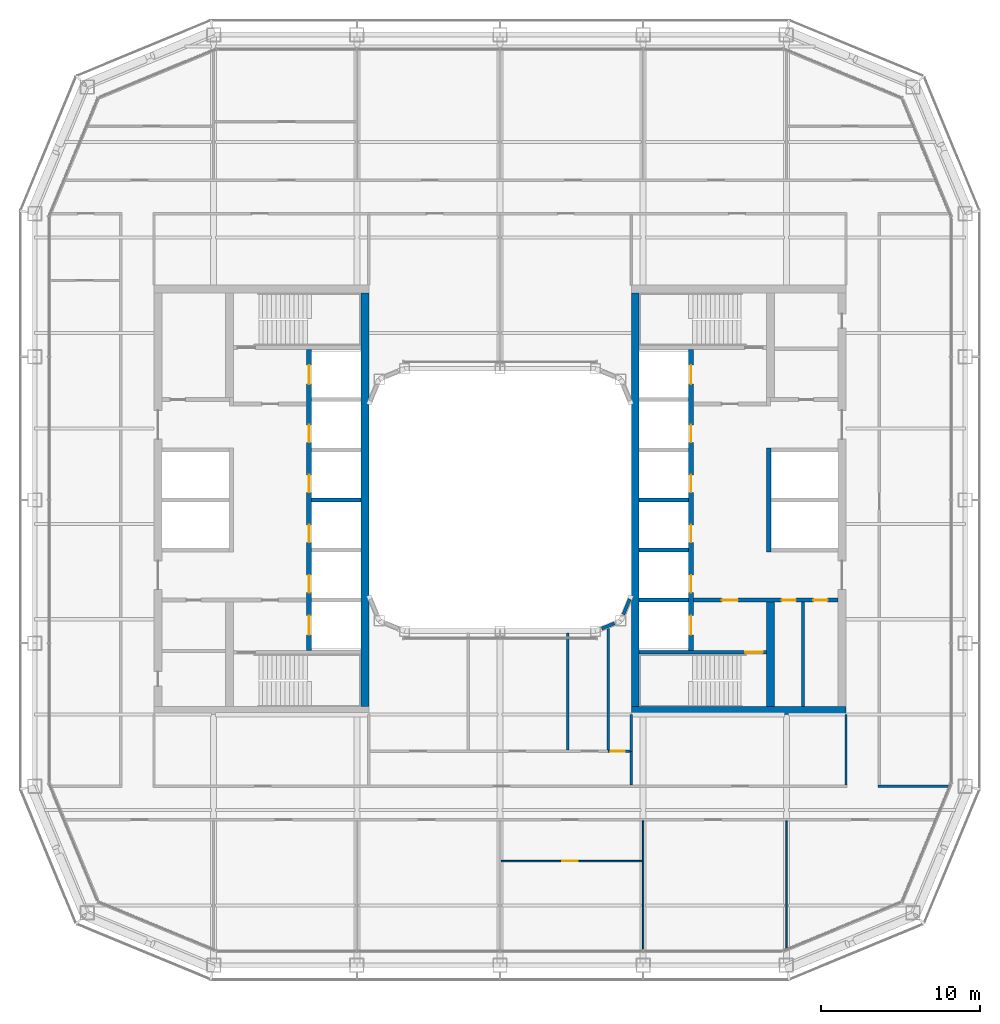
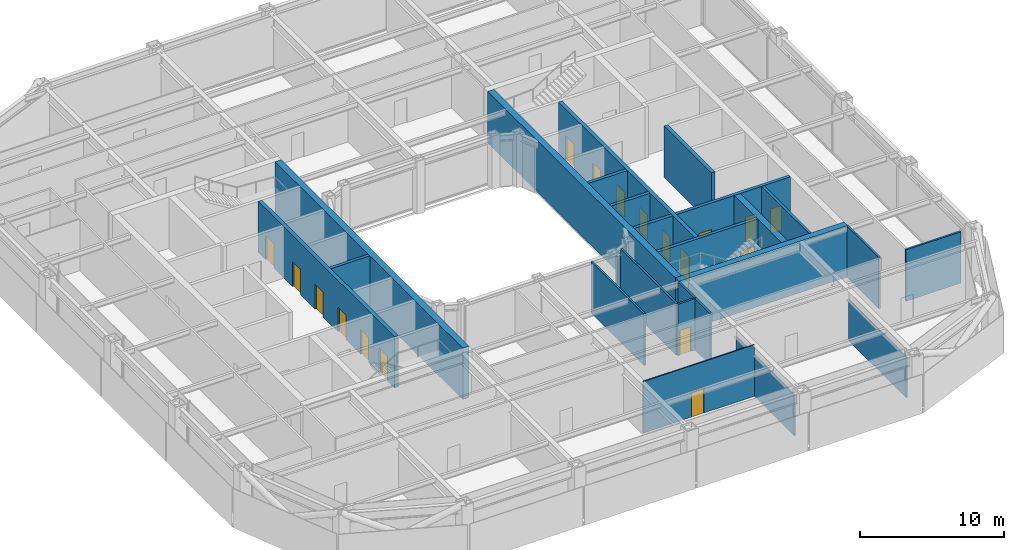
# One storey, part 12 of 21: 26 walls, 18 doors, 18 openings.
"""IFC4 building model written with IfcOpenShell, lengths in metres."""

from ifc_helpers import new_model, si_unit, direction, frame, frame_2d, origin, place, context, subcontext, project, spatial, rectangle, extrude, material, layer, layer_set, type_object, element, fill, save


model = new_model("IFC4")

# Units and contexts
model_context = context("Model", 3, precision=1e-05, world=origin(), true_north=direction((0.0, 1.0)))
body_context = subcontext(model_context, "Body", "Model", "MODEL_VIEW")
ifc_project = project(units=[si_unit("LENGTHUNIT", "METRE"), si_unit("AREAUNIT", "SQUARE_METRE"), si_unit("VOLUMEUNIT", "CUBIC_METRE"), si_unit("PLANEANGLEUNIT", "RADIAN"), si_unit("MASSUNIT", "GRAM", prefix="KILO")], contexts=[model_context])

# Site, building, storey
site_placement = place(None, origin())
site = spatial("IfcSite", under=ifc_project, at=site_placement, CompositionType="ELEMENT")
building_placement = place(site_placement, origin())
building = spatial("IfcBuilding", under=site, at=building_placement, Name="Siwar Civic Tower", CompositionType="ELEMENT")
storey_placement = place(building_placement, frame((0.0, 0.0, 158.699951171875)))
storey = spatial("IfcBuildingStorey", under=building, at=storey_placement, Name="L34", CompositionType="ELEMENT", Elevation=158.699951171875)

# Wall, opening, door
ifc_material_1 = material(Name="Gypsum board on steel studs", Category="steel")
ifc_layer_1 = layer(ifc_material_1, 0.14990234375)
ifc_layer_set_1 = layer_set([ifc_layer_1], Name="Gypsum board on steel studs")
wall_type_1 = type_object("IfcWallType", Name="COMPARTMENT PARTITION 150 EI 60", PredefinedType="PARTITIONING", material=ifc_layer_set_1)
wall_1_placement = place(storey_placement, frame((6.800048828125, -15.800048828125, 0.0), z_axis=(0.0, 0.0, 1.0), x_axis=(1.0, 0.0, 0.0)))
wall_1 = element("IfcWall", 1, at=wall_1_placement, inside=storey, type_object=wall_type_1, Name="L34/wall/P07", PredefinedType="PARTITIONING", context=body_context, shape_type="SweptSolid", body=[
    extrude(rectangle(XDim=1.375, YDim=0.14990234375, at=frame_2d((0.6875, 0.0))), origin(), (0.0, 0.0, 1.0), 4.35009765625),
])
opening_1_placement = place(wall_1_placement, frame((0.14990234375, 0.0, 0.0)))
opening_1 = element("IfcOpeningElement", 2, at=opening_1_placement, cuts=wall_1, Name="Opening D4", PredefinedType="OPENING", context=body_context, shape_type="SweptSolid", body=[
    extrude(rectangle(XDim=0.89990234375, YDim=2.10009765625, at=frame_2d((0.449951171875, 1.050048828125))), frame((0.0, 0.0849609375, 0.0), z_axis=(0.0, -1.0, 0.0), x_axis=(1.0, 0.0, 0.0)), (0.0, 0.0, 1.0), 0.169921875),
])
ifc_material_2 = material(Name="Timber, painted", Category="wood")
door_type_1 = type_object("IfcDoorType", Name="DOOR 900 X 2100 FD60", OperationType="SINGLE_SWING_LEFT", PredefinedType="DOOR", material=ifc_material_2)
door_1_placement = place(opening_1_placement, origin())
door_1 = element("IfcDoor", 3, at=door_1_placement, inside=storey, type_object=door_type_1, Name="L34-D23", OperationType="SINGLE_SWING_LEFT", OverallHeight=2.10009765625, OverallWidth=0.89990234375, PredefinedType="DOOR", context=body_context, shape_type="SweptSolid", body=[
    extrude(rectangle(XDim=0.89990234375, YDim=2.10009765625, at=frame_2d((0.449951171875, 1.050048828125))), frame((0.0, 0.02490234375, 0.0), z_axis=(0.0, -1.0, 0.0), x_axis=(1.0, 0.0, 0.0)), (0.0, 0.0, 1.0), 0.050048828125),
])
fill(opening_1, door_1)

# Walls
wall_2_placement = place(storey_placement, frame((6.800048828125, -15.72509765625, 0.0), z_axis=(0.0, 0.0, 1.0), x_axis=(0.0, 1.0, 0.0)))
element("IfcWall", 4, at=wall_2_placement, inside=storey, type_object=wall_type_1, Name="L34/wall/P32", PredefinedType="PARTITIONING", context=body_context, shape_type="SweptSolid", body=[
    extrude(rectangle(XDim=7.656005859375, YDim=0.14990234375, at=frame_2d((3.828125, 0.0))), origin(), (0.0, 0.0, 1.0), 4.35009765625),
])
wall_3_placement = place(storey_placement, frame((8.25, -15.800048828125, 0.0), z_axis=(0.0, 0.0, 1.0), x_axis=(0.0, 1.0, 0.0)))
element("IfcWall", 5, at=wall_3_placement, inside=storey, type_object=wall_type_1, Name="L34/wall/P35", PredefinedType="PARTITIONING", context=body_context, shape_type="SweptSolid", body=[
    extrude(rectangle(XDim=2.300048828125, YDim=0.14990234375, at=frame_2d((1.14990234375, 0.0))), origin(), (0.0, 0.0, 1.0), 4.35009765625),
])
ifc_material_3 = material(Name="Gypsum board on steel studs", Category="steel")
ifc_layer_2 = layer(ifc_material_3, 0.199951171875)
ifc_layer_set_2 = layer_set([ifc_layer_2], Name="Gypsum board on steel studs")
wall_type_2 = type_object("IfcWallType", Name="CORE-PARTITION-200", PredefinedType="PARTITIONING", material=ifc_layer_set_2)
wall_4_placement = place(storey_placement, frame((19.050048828125, -13.0, 0.0), z_axis=(0.0, 0.0, 1.0), x_axis=(0.0, 1.0, 0.0)))
element("IfcWall", 6, at=wall_4_placement, inside=storey, type_object=wall_type_2, Name="Core partition E", PredefinedType="PARTITIONING", context=body_context, shape_type="SweptSolid", body=[
    extrude(rectangle(XDim=6.574951171875, YDim=0.199951171875, at=frame_2d((3.28759765625, 0.0))), origin(), (0.0, 0.0, 1.0), 4.35009765625),
])
ifc_material_4 = material(Name="Concrete C60/75", Category="concrete")
ifc_layer_3 = layer(ifc_material_4, 0.25)
ifc_layer_set_3 = layer_set([ifc_layer_3], Name="Concrete C60/75")
wall_type_3 = type_object("IfcWallType", Name="CORE-WALL-RC250", PredefinedType="SHEAR", material=ifc_layer_set_3)
wall_5_placement = place(storey_placement, frame((-8.75, 0.0, 0.0), z_axis=(0.0, 0.0, 1.0), x_axis=(-1.0, 0.0, 0.0)))
element("IfcWall", 7, at=wall_5_placement, inside=storey, type_object=wall_type_3, Name="Core wall W", PredefinedType="SHEAR", context=body_context, shape_type="SweptSolid", body=[
    extrude(rectangle(XDim=3.10009765625, YDim=0.25, at=frame_2d((1.550048828125, 0.0))), origin(), (0.0, 0.0, 1.0), 4.35009765625),
])

# Wall, openings, doors
wall_6_placement = place(storey_placement, frame((12.14990234375, -6.300048828125, 0.0), z_axis=(0.0, 0.0, 1.0), x_axis=(1.0, 0.0, 0.0)))
wall_6 = element("IfcWall", 8, at=wall_6_placement, inside=storey, type_object=wall_type_3, Name="Core wall E", PredefinedType="SHEAR", context=body_context, shape_type="SweptSolid", body=[
    extrude(rectangle(XDim=9.10009765625, YDim=0.25, at=frame_2d((4.550048828125, 0.0))), origin(), (0.0, 0.0, 1.0), 4.35009765625),
])
opening_2_placement = place(wall_6_placement, frame((1.800048828125, 0.0, 0.0)))
opening_2 = element("IfcOpeningElement", 9, at=opening_2_placement, cuts=wall_6, Name="Opening L34-CE02", PredefinedType="OPENING", context=body_context, shape_type="SweptSolid", body=[
    extrude(rectangle(XDim=1.0, YDim=2.10009765625, at=frame_2d((0.5, 1.050048828125))), frame((0.0, 0.135009765625, 0.0), z_axis=(0.0, -1.0, 0.0), x_axis=(1.0, 0.0, 0.0)), (0.0, 0.0, 1.0), 0.27001953125),
])
opening_3_placement = place(wall_6_placement, frame((5.550048828125, 0.0, 0.0)))
opening_3 = element("IfcOpeningElement", 10, at=opening_3_placement, cuts=wall_6, Name="Opening L34-CE15", PredefinedType="OPENING", context=body_context, shape_type="SweptSolid", body=[
    extrude(rectangle(XDim=0.89990234375, YDim=2.10009765625, at=frame_2d((0.449951171875, 1.050048828125))), frame((0.0, 0.135009765625, 0.0), z_axis=(0.0, -1.0, 0.0), x_axis=(1.0, 0.0, 0.0)), (0.0, 0.0, 1.0), 0.27001953125),
])
opening_4_placement = place(wall_6_placement, frame((7.550048828125, 0.0, 0.0)))
opening_4 = element("IfcOpeningElement", 11, at=opening_4_placement, cuts=wall_6, Name="Opening L34-CE16", PredefinedType="OPENING", context=body_context, shape_type="SweptSolid", body=[
    extrude(rectangle(XDim=0.89990234375, YDim=2.10009765625, at=frame_2d((0.449951171875, 1.050048828125))), frame((0.0, 0.135009765625, 0.0), z_axis=(0.0, -1.0, 0.0), x_axis=(1.0, 0.0, 0.0)), (0.0, 0.0, 1.0), 0.27001953125),
])
ifc_material_5 = material(Name="Steel door leaf", Category="steel")
door_type_2 = type_object("IfcDoorType", Name="CORE-DOOR-FD30S", OperationType="SINGLE_SWING_LEFT", PredefinedType="DOOR", material=ifc_material_5)
door_2_placement = place(opening_2_placement, origin())
door_2 = element("IfcDoor", 12, at=door_2_placement, inside=storey, type_object=door_type_2, Name="Service lobby door L34-CE02", OperationType="SINGLE_SWING_LEFT", OverallHeight=2.10009765625, OverallWidth=1.0, PredefinedType="DOOR", context=body_context, shape_type="SweptSolid", body=[
    extrude(rectangle(XDim=1.0, YDim=2.10009765625, at=frame_2d((0.5, 1.050048828125))), frame((0.0, 0.02490234375, 0.0), z_axis=(0.0, -1.0, 0.0), x_axis=(1.0, 0.0, 0.0)), (0.0, 0.0, 1.0), 0.050048828125),
])
fill(opening_2, door_2)
ifc_material_6 = material(Name="Steel door leaf", Category="steel")
door_type_3 = type_object("IfcDoorType", Name="CORE-DOOR-ROOM", OperationType="SINGLE_SWING_LEFT", PredefinedType="DOOR", material=ifc_material_6)
door_3_placement = place(opening_3_placement, origin())
door_3 = element("IfcDoor", 13, at=door_3_placement, inside=storey, type_object=door_type_3, Name="Core room door L34-CE15", OperationType="SINGLE_SWING_RIGHT", OverallHeight=2.10009765625, OverallWidth=0.89990234375, PredefinedType="DOOR", context=body_context, shape_type="SweptSolid", body=[
    extrude(rectangle(XDim=0.89990234375, YDim=2.10009765625, at=frame_2d((0.449951171875, 1.050048828125))), frame((0.0, 0.02490234375, 0.0), z_axis=(0.0, -1.0, 0.0), x_axis=(1.0, 0.0, 0.0)), (0.0, 0.0, 1.0), 0.050048828125),
])
fill(opening_3, door_3)
door_4_placement = place(opening_4_placement, origin())
door_4 = element("IfcDoor", 14, at=door_4_placement, inside=storey, type_object=door_type_3, Name="Core room door L34-CE16", OperationType="SINGLE_SWING_LEFT", OverallHeight=2.10009765625, OverallWidth=0.89990234375, PredefinedType="DOOR", context=body_context, shape_type="SweptSolid", body=[
    extrude(rectangle(XDim=0.89990234375, YDim=2.10009765625, at=frame_2d((0.449951171875, 1.050048828125))), frame((0.0, 0.02490234375, 0.0), z_axis=(0.0, -1.0, 0.0), x_axis=(1.0, 0.0, 0.0)), (0.0, 0.0, 1.0), 0.050048828125),
])
fill(opening_4, door_4)

# Walls
for number, where, z_axis, x_axis, name in (
    (15, (8.75, 0.0, 0.0), (0.0, 0.0, 1.0), (1.0, 0.0, 0.0), "Core wall E"),
    (16, (8.75, -3.14990234375, 0.0), (0.0, 0.0, 1.0), (1.0, 0.0, 0.0), "Core wall E"),
    (17, (8.75, -6.300048828125, 0.0), (0.0, 0.0, 1.0), (1.0, 0.0, 0.0), "Core wall E"),
):
    element("IfcWall", number, at=place(storey_placement, frame(where, z_axis=z_axis, x_axis=x_axis)), inside=storey, type_object=wall_type_3, Name=name, PredefinedType="SHEAR", context=body_context, shape_type="SweptSolid", body=[
        extrude(rectangle(XDim=3.10009765625, YDim=0.25, at=frame_2d((1.550048828125, 0.0))), origin(), (0.0, 0.0, 1.0), 4.35009765625),
    ])

# Wall, opening, door
wall_7_placement = place(storey_placement, frame((8.75, -9.574951171875, 0.0), z_axis=(0.0, 0.0, 1.0), x_axis=(1.0, 0.0, 0.0)))
wall_7 = element("IfcWall", 18, at=wall_7_placement, inside=storey, type_object=wall_type_3, Name="Core wall E", PredefinedType="SHEAR", context=body_context, shape_type="SweptSolid", body=[
    extrude(rectangle(XDim=8.0, YDim=0.25, at=frame_2d((4.0, 0.0))), origin(), (0.0, 0.0, 1.0), 4.35009765625),
])
opening_5_placement = place(wall_7_placement, frame((6.64990234375, 0.0, 0.0)))
opening_5 = element("IfcOpeningElement", 19, at=opening_5_placement, cuts=wall_7, Name="Opening L34-CE04", PredefinedType="OPENING", context=body_context, shape_type="SweptSolid", body=[
    extrude(rectangle(XDim=1.10009765625, YDim=2.10009765625, at=frame_2d((0.550048828125, 1.050048828125))), frame((0.0, 0.135009765625, 0.0), z_axis=(0.0, -1.0, 0.0), x_axis=(1.0, 0.0, 0.0)), (0.0, 0.0, 1.0), 0.27001953125),
])
ifc_material_7 = material(Name="Steel door leaf", Category="steel")
door_type_4 = type_object("IfcDoorType", Name="CORE-DOOR-FD60S", OperationType="SINGLE_SWING_LEFT", PredefinedType="DOOR", material=ifc_material_7)
door_5_placement = place(opening_5_placement, origin())
door_5 = element("IfcDoor", 20, at=door_5_placement, inside=storey, type_object=door_type_4, Name="Stair door L34-CE04", OperationType="SINGLE_SWING_RIGHT", OverallHeight=2.10009765625, OverallWidth=1.10009765625, PredefinedType="DOOR", context=body_context, shape_type="SweptSolid", body=[
    extrude(rectangle(XDim=1.10009765625, YDim=2.10009765625, at=frame_2d((0.550048828125, 1.050048828125))), frame((0.0, 0.02490234375, 0.0), z_axis=(0.0, -1.0, 0.0), x_axis=(1.0, 0.0, 0.0)), (0.0, 0.0, 1.0), 0.050048828125),
])
fill(opening_5, door_5)

# Wall, openings, doors
ifc_material_8 = material(Name="Concrete C60/75", Category="concrete")
ifc_layer_4 = layer(ifc_material_8, 0.300048828125)
ifc_layer_set_4 = layer_set([ifc_layer_4], Name="Concrete C60/75")
wall_type_4 = type_object("IfcWallType", Name="CORE-WALL-RC300", PredefinedType="SHEAR", material=ifc_layer_set_4)
wall_8_placement = place(storey_placement, frame((-12.0, -9.449951171875, 0.0), z_axis=(0.0, 0.0, 1.0), x_axis=(0.0, 1.0, 0.0)))
wall_8 = element("IfcWall", 21, at=wall_8_placement, inside=storey, type_object=wall_type_4, Name="Core wall W", PredefinedType="SHEAR", context=body_context, shape_type="SweptSolid", body=[
    extrude(rectangle(XDim=18.89990234375, YDim=0.300048828125, at=frame_2d((9.449951171875, 0.0))), origin(), (0.0, 0.0, 1.0), 4.35009765625),
])
opening_6_placement = place(wall_8_placement, frame((3.625, 0.0, 0.0)))
opening_6 = element("IfcOpeningElement", 22, at=opening_6_placement, cuts=wall_8, Name="Opening L34-CW07", PredefinedType="OPENING", context=body_context, shape_type="SweptSolid", body=[
    extrude(rectangle(XDim=1.10009765625, YDim=2.10009765625, at=frame_2d((0.550048828125, 1.050048828125))), frame((0.0, 0.16015625, 0.0), z_axis=(0.0, -1.0, 0.0), x_axis=(1.0, 0.0, 0.0)), (0.0, 0.0, 1.0), 0.320068359375),
])
opening_7_placement = place(wall_8_placement, frame((6.77490234375, 0.0, 0.0)))
opening_7 = element("IfcOpeningElement", 23, at=opening_7_placement, cuts=wall_8, Name="Opening L34-CW08", PredefinedType="OPENING", context=body_context, shape_type="SweptSolid", body=[
    extrude(rectangle(XDim=1.10009765625, YDim=2.10009765625, at=frame_2d((0.550048828125, 1.050048828125))), frame((0.0, 0.16015625, 0.0), z_axis=(0.0, -1.0, 0.0), x_axis=(1.0, 0.0, 0.0)), (0.0, 0.0, 1.0), 0.320068359375),
])
opening_8_placement = place(wall_8_placement, frame((9.925048828125, 0.0, 0.0)))
opening_8 = element("IfcOpeningElement", 24, at=opening_8_placement, cuts=wall_8, Name="Opening L34-CW09", PredefinedType="OPENING", context=body_context, shape_type="SweptSolid", body=[
    extrude(rectangle(XDim=1.10009765625, YDim=2.10009765625, at=frame_2d((0.550048828125, 1.050048828125))), frame((0.0, 0.16015625, 0.0), z_axis=(0.0, -1.0, 0.0), x_axis=(1.0, 0.0, 0.0)), (0.0, 0.0, 1.0), 0.320068359375),
])
opening_9_placement = place(wall_8_placement, frame((13.074951171875, 0.0, 0.0)))
opening_9 = element("IfcOpeningElement", 25, at=opening_9_placement, cuts=wall_8, Name="Opening L34-CW10", PredefinedType="OPENING", context=body_context, shape_type="SweptSolid", body=[
    extrude(rectangle(XDim=1.10009765625, YDim=2.10009765625, at=frame_2d((0.550048828125, 1.050048828125))), frame((0.0, 0.16015625, 0.0), z_axis=(0.0, -1.0, 0.0), x_axis=(1.0, 0.0, 0.0)), (0.0, 0.0, 1.0), 0.320068359375),
])
opening_10_placement = place(wall_8_placement, frame((16.72509765625, 0.0, 0.0)))
opening_10 = element("IfcOpeningElement", 26, at=opening_10_placement, cuts=wall_8, Name="Opening L34-CW11", PredefinedType="OPENING", context=body_context, shape_type="SweptSolid", body=[
    extrude(rectangle(XDim=1.199951171875, YDim=2.10009765625, at=frame_2d((0.60009765625, 1.050048828125))), frame((0.0, 0.16015625, 0.0), z_axis=(0.0, -1.0, 0.0), x_axis=(1.0, 0.0, 0.0)), (0.0, 0.0, 1.0), 0.320068359375),
])
opening_11_placement = place(wall_8_placement, frame((0.97509765625, 0.0, 0.0)))
opening_11 = element("IfcOpeningElement", 27, at=opening_11_placement, cuts=wall_8, Name="Opening L34-CW12", PredefinedType="OPENING", context=body_context, shape_type="SweptSolid", body=[
    extrude(rectangle(XDim=1.199951171875, YDim=2.10009765625, at=frame_2d((0.60009765625, 1.050048828125))), frame((0.0, 0.16015625, 0.0), z_axis=(0.0, -1.0, 0.0), x_axis=(1.0, 0.0, 0.0)), (0.0, 0.0, 1.0), 0.320068359375),
])
ifc_material_9 = material(Name="Steel door leaf", Category="steel")
door_type_5 = type_object("IfcDoorType", Name="CORE-DOOR-LD", OperationType="DOUBLE_DOOR_SLIDING", PredefinedType="DOOR", material=ifc_material_9)
door_6_placement = place(opening_6_placement, origin())
door_6 = element("IfcDoor", 28, at=door_6_placement, inside=storey, type_object=door_type_5, Name="Landing door LR1 L34-CW07", OperationType="DOUBLE_DOOR_SLIDING", OverallHeight=2.10009765625, OverallWidth=1.10009765625, PredefinedType="DOOR", context=body_context, shape_type="SweptSolid", body=[
    extrude(rectangle(XDim=1.10009765625, YDim=2.10009765625, at=frame_2d((0.550048828125, 1.050048828125))), frame((0.0, 0.02490234375, 0.0), z_axis=(0.0, -1.0, 0.0), x_axis=(1.0, 0.0, 0.0)), (0.0, 0.0, 1.0), 0.050048828125),
])
fill(opening_6, door_6)
door_7_placement = place(opening_7_placement, origin())
door_7 = element("IfcDoor", 29, at=door_7_placement, inside=storey, type_object=door_type_5, Name="Landing door LR2 L34-CW08", OperationType="DOUBLE_DOOR_SLIDING", OverallHeight=2.10009765625, OverallWidth=1.10009765625, PredefinedType="DOOR", context=body_context, shape_type="SweptSolid", body=[
    extrude(rectangle(XDim=1.10009765625, YDim=2.10009765625, at=frame_2d((0.550048828125, 1.050048828125))), frame((0.0, 0.02490234375, 0.0), z_axis=(0.0, -1.0, 0.0), x_axis=(1.0, 0.0, 0.0)), (0.0, 0.0, 1.0), 0.050048828125),
])
fill(opening_7, door_7)
door_8_placement = place(opening_8_placement, origin())
door_8 = element("IfcDoor", 30, at=door_8_placement, inside=storey, type_object=door_type_5, Name="Landing door LR3 L34-CW09", OperationType="DOUBLE_DOOR_SLIDING", OverallHeight=2.10009765625, OverallWidth=1.10009765625, PredefinedType="DOOR", context=body_context, shape_type="SweptSolid", body=[
    extrude(rectangle(XDim=1.10009765625, YDim=2.10009765625, at=frame_2d((0.550048828125, 1.050048828125))), frame((0.0, 0.02490234375, 0.0), z_axis=(0.0, -1.0, 0.0), x_axis=(1.0, 0.0, 0.0)), (0.0, 0.0, 1.0), 0.050048828125),
])
fill(opening_8, door_8)
door_9_placement = place(opening_9_placement, origin())
door_9 = element("IfcDoor", 31, at=door_9_placement, inside=storey, type_object=door_type_5, Name="Landing door LR4 L34-CW10", OperationType="DOUBLE_DOOR_SLIDING", OverallHeight=2.10009765625, OverallWidth=1.10009765625, PredefinedType="DOOR", context=body_context, shape_type="SweptSolid", body=[
    extrude(rectangle(XDim=1.10009765625, YDim=2.10009765625, at=frame_2d((0.550048828125, 1.050048828125))), frame((0.0, 0.02490234375, 0.0), z_axis=(0.0, -1.0, 0.0), x_axis=(1.0, 0.0, 0.0)), (0.0, 0.0, 1.0), 0.050048828125),
])
fill(opening_9, door_9)
ifc_material_10 = material(Name="Steel door leaf", Category="steel")
door_type_6 = type_object("IfcDoorType", Name="CORE-DOOR-LDW", OperationType="DOUBLE_DOOR_SLIDING", PredefinedType="DOOR", material=ifc_material_10)
door_10_placement = place(opening_10_placement, origin())
door_10 = element("IfcDoor", 32, at=door_10_placement, inside=storey, type_object=door_type_6, Name="Landing door FF1 L34-CW11", OperationType="DOUBLE_DOOR_SLIDING", OverallHeight=2.10009765625, OverallWidth=1.199951171875, PredefinedType="DOOR", context=body_context, shape_type="SweptSolid", body=[
    extrude(rectangle(XDim=1.199951171875, YDim=2.10009765625, at=frame_2d((0.60009765625, 1.050048828125))), frame((0.0, 0.02490234375, 0.0), z_axis=(0.0, -1.0, 0.0), x_axis=(1.0, 0.0, 0.0)), (0.0, 0.0, 1.0), 0.050048828125),
])
fill(opening_10, door_10)
door_11_placement = place(opening_11_placement, origin())
door_11 = element("IfcDoor", 33, at=door_11_placement, inside=storey, type_object=door_type_6, Name="Landing door SV1 L34-CW12", OperationType="DOUBLE_DOOR_SLIDING", OverallHeight=2.10009765625, OverallWidth=1.199951171875, PredefinedType="DOOR", context=body_context, shape_type="SweptSolid", body=[
    extrude(rectangle(XDim=1.199951171875, YDim=2.10009765625, at=frame_2d((0.60009765625, 1.050048828125))), frame((0.0, 0.02490234375, 0.0), z_axis=(0.0, -1.0, 0.0), x_axis=(1.0, 0.0, 0.0)), (0.0, 0.0, 1.0), 0.050048828125),
])
fill(opening_11, door_11)

wall_9_placement = place(storey_placement, frame((12.0, -9.449951171875, 0.0), z_axis=(0.0, 0.0, 1.0), x_axis=(0.0, 1.0, 0.0)))
wall_9 = element("IfcWall", 34, at=wall_9_placement, inside=storey, type_object=wall_type_4, Name="Core wall E", PredefinedType="SHEAR", context=body_context, shape_type="SweptSolid", body=[
    extrude(rectangle(XDim=18.89990234375, YDim=0.300048828125, at=frame_2d((9.449951171875, 0.0))), origin(), (0.0, 0.0, 1.0), 4.35009765625),
])
opening_12_placement = place(wall_9_placement, frame((3.625, 0.0, 0.0)))
opening_12 = element("IfcOpeningElement", 35, at=opening_12_placement, cuts=wall_9, Name="Opening L34-CE07", PredefinedType="OPENING", context=body_context, shape_type="SweptSolid", body=[
    extrude(rectangle(XDim=1.10009765625, YDim=2.10009765625, at=frame_2d((0.550048828125, 1.050048828125))), frame((0.0, 0.16015625, 0.0), z_axis=(0.0, -1.0, 0.0), x_axis=(1.0, 0.0, 0.0)), (0.0, 0.0, 1.0), 0.320068359375),
])
opening_13_placement = place(wall_9_placement, frame((6.77490234375, 0.0, 0.0)))
opening_13 = element("IfcOpeningElement", 36, at=opening_13_placement, cuts=wall_9, Name="Opening L34-CE08", PredefinedType="OPENING", context=body_context, shape_type="SweptSolid", body=[
    extrude(rectangle(XDim=1.10009765625, YDim=2.10009765625, at=frame_2d((0.550048828125, 1.050048828125))), frame((0.0, 0.16015625, 0.0), z_axis=(0.0, -1.0, 0.0), x_axis=(1.0, 0.0, 0.0)), (0.0, 0.0, 1.0), 0.320068359375),
])
opening_14_placement = place(wall_9_placement, frame((9.925048828125, 0.0, 0.0)))
opening_14 = element("IfcOpeningElement", 37, at=opening_14_placement, cuts=wall_9, Name="Opening L34-CE09", PredefinedType="OPENING", context=body_context, shape_type="SweptSolid", body=[
    extrude(rectangle(XDim=1.10009765625, YDim=2.10009765625, at=frame_2d((0.550048828125, 1.050048828125))), frame((0.0, 0.16015625, 0.0), z_axis=(0.0, -1.0, 0.0), x_axis=(1.0, 0.0, 0.0)), (0.0, 0.0, 1.0), 0.320068359375),
])
opening_15_placement = place(wall_9_placement, frame((13.074951171875, 0.0, 0.0)))
opening_15 = element("IfcOpeningElement", 38, at=opening_15_placement, cuts=wall_9, Name="Opening L34-CE10", PredefinedType="OPENING", context=body_context, shape_type="SweptSolid", body=[
    extrude(rectangle(XDim=1.10009765625, YDim=2.10009765625, at=frame_2d((0.550048828125, 1.050048828125))), frame((0.0, 0.16015625, 0.0), z_axis=(0.0, -1.0, 0.0), x_axis=(1.0, 0.0, 0.0)), (0.0, 0.0, 1.0), 0.320068359375),
])
opening_16_placement = place(wall_9_placement, frame((16.72509765625, 0.0, 0.0)))
opening_16 = element("IfcOpeningElement", 39, at=opening_16_placement, cuts=wall_9, Name="Opening L34-CE11", PredefinedType="OPENING", context=body_context, shape_type="SweptSolid", body=[
    extrude(rectangle(XDim=1.199951171875, YDim=2.10009765625, at=frame_2d((0.60009765625, 1.050048828125))), frame((0.0, 0.16015625, 0.0), z_axis=(0.0, -1.0, 0.0), x_axis=(1.0, 0.0, 0.0)), (0.0, 0.0, 1.0), 0.320068359375),
])
opening_17_placement = place(wall_9_placement, frame((0.97509765625, 0.0, 0.0)))
opening_17 = element("IfcOpeningElement", 40, at=opening_17_placement, cuts=wall_9, Name="Opening L34-CE12", PredefinedType="OPENING", context=body_context, shape_type="SweptSolid", body=[
    extrude(rectangle(XDim=1.199951171875, YDim=2.10009765625, at=frame_2d((0.60009765625, 1.050048828125))), frame((0.0, 0.16015625, 0.0), z_axis=(0.0, -1.0, 0.0), x_axis=(1.0, 0.0, 0.0)), (0.0, 0.0, 1.0), 0.320068359375),
])
door_12_placement = place(opening_12_placement, origin())
door_12 = element("IfcDoor", 41, at=door_12_placement, inside=storey, type_object=door_type_5, Name="Landing door LR5 L34-CE07", OperationType="DOUBLE_DOOR_SLIDING", OverallHeight=2.10009765625, OverallWidth=1.10009765625, PredefinedType="DOOR", context=body_context, shape_type="SweptSolid", body=[
    extrude(rectangle(XDim=1.10009765625, YDim=2.10009765625, at=frame_2d((0.550048828125, 1.050048828125))), frame((0.0, 0.02490234375, 0.0), z_axis=(0.0, -1.0, 0.0), x_axis=(1.0, 0.0, 0.0)), (0.0, 0.0, 1.0), 0.050048828125),
])
fill(opening_12, door_12)
door_13_placement = place(opening_13_placement, origin())
door_13 = element("IfcDoor", 42, at=door_13_placement, inside=storey, type_object=door_type_5, Name="Landing door LR6 L34-CE08", OperationType="DOUBLE_DOOR_SLIDING", OverallHeight=2.10009765625, OverallWidth=1.10009765625, PredefinedType="DOOR", context=body_context, shape_type="SweptSolid", body=[
    extrude(rectangle(XDim=1.10009765625, YDim=2.10009765625, at=frame_2d((0.550048828125, 1.050048828125))), frame((0.0, 0.02490234375, 0.0), z_axis=(0.0, -1.0, 0.0), x_axis=(1.0, 0.0, 0.0)), (0.0, 0.0, 1.0), 0.050048828125),
])
fill(opening_13, door_13)
door_14_placement = place(opening_14_placement, origin())
door_14 = element("IfcDoor", 43, at=door_14_placement, inside=storey, type_object=door_type_5, Name="Landing door LR7 L34-CE09", OperationType="DOUBLE_DOOR_SLIDING", OverallHeight=2.10009765625, OverallWidth=1.10009765625, PredefinedType="DOOR", context=body_context, shape_type="SweptSolid", body=[
    extrude(rectangle(XDim=1.10009765625, YDim=2.10009765625, at=frame_2d((0.550048828125, 1.050048828125))), frame((0.0, 0.02490234375, 0.0), z_axis=(0.0, -1.0, 0.0), x_axis=(1.0, 0.0, 0.0)), (0.0, 0.0, 1.0), 0.050048828125),
])
fill(opening_14, door_14)
door_15_placement = place(opening_15_placement, origin())
door_15 = element("IfcDoor", 44, at=door_15_placement, inside=storey, type_object=door_type_5, Name="Landing door LR8 L34-CE10", OperationType="DOUBLE_DOOR_SLIDING", OverallHeight=2.10009765625, OverallWidth=1.10009765625, PredefinedType="DOOR", context=body_context, shape_type="SweptSolid", body=[
    extrude(rectangle(XDim=1.10009765625, YDim=2.10009765625, at=frame_2d((0.550048828125, 1.050048828125))), frame((0.0, 0.02490234375, 0.0), z_axis=(0.0, -1.0, 0.0), x_axis=(1.0, 0.0, 0.0)), (0.0, 0.0, 1.0), 0.050048828125),
])
fill(opening_15, door_15)
door_16_placement = place(opening_16_placement, origin())
door_16 = element("IfcDoor", 45, at=door_16_placement, inside=storey, type_object=door_type_6, Name="Landing door FF2 L34-CE11", OperationType="DOUBLE_DOOR_SLIDING", OverallHeight=2.10009765625, OverallWidth=1.199951171875, PredefinedType="DOOR", context=body_context, shape_type="SweptSolid", body=[
    extrude(rectangle(XDim=1.199951171875, YDim=2.10009765625, at=frame_2d((0.60009765625, 1.050048828125))), frame((0.0, 0.02490234375, 0.0), z_axis=(0.0, -1.0, 0.0), x_axis=(1.0, 0.0, 0.0)), (0.0, 0.0, 1.0), 0.050048828125),
])
fill(opening_16, door_16)
door_17_placement = place(opening_17_placement, origin())
door_17 = element("IfcDoor", 46, at=door_17_placement, inside=storey, type_object=door_type_6, Name="Landing door SV2 L34-CE12", OperationType="DOUBLE_DOOR_SLIDING", OverallHeight=2.10009765625, OverallWidth=1.199951171875, PredefinedType="DOOR", context=body_context, shape_type="SweptSolid", body=[
    extrude(rectangle(XDim=1.199951171875, YDim=2.10009765625, at=frame_2d((0.60009765625, 1.050048828125))), frame((0.0, 0.02490234375, 0.0), z_axis=(0.0, -1.0, 0.0), x_axis=(1.0, 0.0, 0.0)), (0.0, 0.0, 1.0), 0.050048828125),
])
fill(opening_17, door_17)

# Walls
wall_10_placement = place(storey_placement, frame((16.89990234375, -3.27490234375, 0.0), z_axis=(0.0, 0.0, 1.0), x_axis=(0.0, 1.0, 0.0)))
element("IfcWall", 47, at=wall_10_placement, inside=storey, type_object=wall_type_4, Name="Core wall E", PredefinedType="SHEAR", context=body_context, shape_type="SweptSolid", body=[
    extrude(rectangle(XDim=6.5498046875, YDim=0.300048828125, at=frame_2d((3.27490234375, 0.0))), origin(), (0.0, 0.0, 1.0), 4.35009765625),
])
ifc_material_11 = material(Name="Concrete C60/75", Category="concrete")
ifc_layer_5 = layer(ifc_material_11, 0.5)
ifc_layer_set_5 = layer_set([ifc_layer_5], Name="Concrete C60/75")
wall_type_5 = type_object("IfcWallType", Name="CORE-WALL-RC500", PredefinedType="SHEAR", material=ifc_layer_set_5)
wall_11_placement = place(storey_placement, frame((17.0, -13.0, 0.0), z_axis=(0.0, 0.0, 1.0), x_axis=(0.0, 1.0, 0.0)))
element("IfcWall", 48, at=wall_11_placement, inside=storey, type_object=wall_type_5, Name="Core wall E", PredefinedType="SHEAR", context=body_context, shape_type="SweptSolid", body=[
    extrude(rectangle(XDim=6.574951171875, YDim=0.5, at=frame_2d((3.28759765625, 0.0))), origin(), (0.0, 0.0, 1.0), 4.35009765625),
])
wall_12_placement = place(storey_placement, frame((8.25, -13.25, 0.0), z_axis=(0.0, 0.0, 1.0), x_axis=(1.0, 0.0, 0.0)))
element("IfcWall", 49, at=wall_12_placement, inside=storey, type_object=wall_type_5, Name="Core wall E", PredefinedType="SHEAR", context=body_context, shape_type="SweptSolid", body=[
    extrude(rectangle(XDim=13.5, YDim=0.5, at=frame_2d((6.75, 0.0))), origin(), (0.0, 0.0, 1.0), 4.35009765625),
])
ifc_material_12 = material(Name="Concrete C60/75", Category="concrete")
ifc_layer_6 = layer(ifc_material_12, 0.5)
ifc_layer_set_6 = layer_set([ifc_layer_6], Name="Concrete C60/75")
wall_type_6 = type_object("IfcWallType", Name="CORE-WALL-RC500-EXT", PredefinedType="SHEAR", material=ifc_layer_set_6)
for number, where, z_axis, x_axis, name in (
    (50, (-8.5, -13.0, 0.0), (0.0, 0.0, 1.0), (0.0, 1.0, 0.0), "Core wall W"),
    (51, (8.5, -13.0, 0.0), (0.0, 0.0, 1.0), (0.0, 1.0, 0.0), "Core wall E"),
):
    element("IfcWall", number, at=place(storey_placement, frame(where, z_axis=z_axis, x_axis=x_axis)), inside=storey, type_object=wall_type_6, Name=name, PredefinedType="SHEAR", context=body_context, shape_type="SweptSolid", body=[
        extrude(rectangle(XDim=26.0, YDim=0.5, at=frame_2d((13.0, 0.0))), origin(), (0.0, 0.0, 1.0), 4.35009765625),
    ])
ifc_material_13 = material(Name="Gypsum board on steel studs", Category="steel")
ifc_layer_7 = layer(ifc_material_13, 0.14990234375)
ifc_layer_set_7 = layer_set([ifc_layer_7], Name="Gypsum board on steel studs")
wall_type_7 = type_object("IfcWallType", Name="CORRIDOR PARTITION 150 EI 30", PredefinedType="PARTITIONING", material=ifc_layer_set_7)
wall_13_placement = place(storey_placement, frame((23.77490234375, -18.0, 0.0), z_axis=(0.0, 0.0, 1.0), x_axis=(1.0, 0.0, 0.0)))
element("IfcWall", 52, at=wall_13_placement, inside=storey, type_object=wall_type_7, Name="L34/wall/P05", PredefinedType="PARTITIONING", context=body_context, shape_type="SweptSolid", body=[
    extrude(rectangle(XDim=4.403076171875, YDim=0.14990234375, at=frame_2d((2.20166015625, 0.0))), origin(), (0.0, 0.0, 1.0), 4.35009765625),
])
wall_14_placement = place(storey_placement, frame((4.25, -15.72509765625, 0.0), z_axis=(0.0, 0.0, 1.0), x_axis=(0.0, 1.0, 0.0)))
element("IfcWall", 53, at=wall_14_placement, inside=storey, type_object=wall_type_7, Name="L34/wall/P31", PredefinedType="PARTITIONING", context=body_context, shape_type="SweptSolid", body=[
    extrude(rectangle(XDim=7.35498046875, YDim=0.14990234375, at=frame_2d((3.677490234375, 0.0))), origin(), (0.0, 0.0, 1.0), 4.35009765625),
])
wall_15_placement = place(storey_placement, frame((8.25, -17.925048828125, 0.0), z_axis=(0.0, 0.0, 1.0), x_axis=(0.0, 1.0, 0.0)))
element("IfcWall", 54, at=wall_15_placement, inside=storey, type_object=wall_type_7, Name="L34/wall/P34", PredefinedType="PARTITIONING", context=body_context, shape_type="SweptSolid", body=[
    extrude(rectangle(XDim=2.125, YDim=0.14990234375, at=frame_2d((1.0625, 0.0))), origin(), (0.0, 0.0, 1.0), 4.35009765625),
])
wall_16_placement = place(storey_placement, frame((21.75, -17.925048828125, 0.0), z_axis=(0.0, 0.0, 1.0), x_axis=(0.0, 1.0, 0.0)))
element("IfcWall", 55, at=wall_16_placement, inside=storey, type_object=wall_type_7, Name="L34/wall/P40", PredefinedType="PARTITIONING", context=body_context, shape_type="SweptSolid", body=[
    extrude(rectangle(XDim=4.425048828125, YDim=0.14990234375, at=frame_2d((2.21240234375, 0.0))), origin(), (0.0, 0.0, 1.0), 4.35009765625),
])
ifc_material_14 = material(Name="Aluminium clad insulated panel", Category="aluminium")
ifc_layer_8 = layer(ifc_material_14, 0.199951171875)
ifc_layer_set_8 = layer_set([ifc_layer_8], Name="Aluminium clad insulated panel")
wall_type_8 = type_object("IfcWallType", Name="ENV-WALL-WELL", PredefinedType="STANDARD", material=ifc_layer_set_8)
wall_17_placement = place(storey_placement, frame((6.392333984375, -8.08740234375, 0.0), z_axis=(0.0, 0.0, 1.0), x_axis=(0.923894108428, 0.382648241093, 0.0)))
element("IfcWall", 56, at=wall_17_placement, inside=storey, type_object=wall_type_8, Name="Light well corner wall SE1", PredefinedType="STANDARD", context=body_context, shape_type="SweptSolid", body=[
    extrude(rectangle(XDim=0.872802734375, YDim=0.199951171875, at=frame_2d((0.4365234375, 0.0))), origin(), (0.0, 0.0, 1.0), 3.825927734375),
])
wall_18_placement = place(storey_placement, frame((7.75341796875, -7.19873046875, 0.0), z_axis=(0.0, 0.0, 1.0), x_axis=(0.382694858887, 0.923874799408, 0.0)))
element("IfcWall", 57, at=wall_18_placement, inside=storey, type_object=wall_type_8, Name="Light well corner wall SE2", PredefinedType="STANDARD", context=body_context, shape_type="SweptSolid", body=[
    extrude(rectangle(XDim=1.047607421875, YDim=0.199951171875, at=frame_2d((0.52392578125, 0.0))), origin(), (0.0, 0.0, 1.0), 3.825927734375),
])

# Wall, opening, door
ifc_material_15 = material(Name="Gypsum board on steel studs", Category="steel")
ifc_layer_9 = layer(ifc_material_15, 0.10009765625)
ifc_layer_set_9 = layer_set([ifc_layer_9], Name="Gypsum board on steel studs")
wall_type_9 = type_object("IfcWallType", Name="PARTITION 100 GYPSUM", PredefinedType="PARTITIONING", material=ifc_layer_set_9)
wall_19_placement = place(storey_placement, frame((0.050048828125, -22.699951171875, 0.0), z_axis=(0.0, 0.0, 1.0), x_axis=(1.0, 0.0, 0.0)))
wall_19 = element("IfcWall", 58, at=wall_19_placement, inside=storey, type_object=wall_type_9, Name="L34/wall/P01", PredefinedType="PARTITIONING", context=body_context, shape_type="SweptSolid", body=[
    extrude(rectangle(XDim=8.89990234375, YDim=0.10009765625, at=frame_2d((4.449951171875, 0.0))), origin(), (0.0, 0.0, 1.0), 4.35009765625),
])
opening_18_placement = place(wall_19_placement, frame((3.85009765625, 0.0, 0.0)))
opening_18 = element("IfcOpeningElement", 59, at=opening_18_placement, cuts=wall_19, Name="Opening D2", PredefinedType="OPENING", context=body_context, shape_type="SweptSolid", body=[
    extrude(rectangle(XDim=1.0, YDim=2.10009765625, at=frame_2d((0.5, 1.050048828125))), frame((0.0, 0.06005859375, 0.0), z_axis=(0.0, -1.0, 0.0), x_axis=(1.0, 0.0, 0.0)), (0.0, 0.0, 1.0), 0.1201171875),
])
ifc_material_16 = material(Name="Timber, painted", Category="wood")
door_type_7 = type_object("IfcDoorType", Name="DOOR 1000 X 2100", OperationType="SINGLE_SWING_LEFT", PredefinedType="DOOR", material=ifc_material_16)
door_18_placement = place(opening_18_placement, origin())
door_18 = element("IfcDoor", 60, at=door_18_placement, inside=storey, type_object=door_type_7, Name="L34-D09", OperationType="SINGLE_SWING_LEFT", OverallHeight=2.10009765625, OverallWidth=1.0, PredefinedType="DOOR", context=body_context, shape_type="SweptSolid", body=[
    extrude(rectangle(XDim=1.0, YDim=2.10009765625, at=frame_2d((0.5, 1.050048828125))), frame((0.0, 0.02490234375, 0.0), z_axis=(0.0, -1.0, 0.0), x_axis=(1.0, 0.0, 0.0)), (0.0, 0.0, 1.0), 0.050048828125),
])
fill(opening_18, door_18)

# Walls
wall_20_placement = place(storey_placement, frame((9.0, -28.260009765625, 0.0), z_axis=(0.0, 0.0, 1.0), x_axis=(0.0, 1.0, 0.0)))
element("IfcWall", 61, at=wall_20_placement, inside=storey, type_object=wall_type_9, Name="L34/wall/P36", PredefinedType="PARTITIONING", context=body_context, shape_type="SweptSolid", body=[
    extrude(rectangle(XDim=8.0849609375, YDim=0.10009765625, at=frame_2d((4.04248046875, 0.0))), origin(), (0.0, 0.0, 1.0), 3.449951171875),
])
wall_21_placement = place(storey_placement, frame((18.0, -28.177978515625, 0.0), z_axis=(0.0, 0.0, 1.0), x_axis=(0.0, 1.0, 0.0)))
element("IfcWall", 62, at=wall_21_placement, inside=storey, type_object=wall_type_9, Name="L34/wall/P38", PredefinedType="PARTITIONING", context=body_context, shape_type="SweptSolid", body=[
    extrude(rectangle(XDim=8.0029296875, YDim=0.10009765625, at=frame_2d((4.00146484375, 0.0))), origin(), (0.0, 0.0, 1.0), 3.449951171875),
])

save(model, "model.ifc")
